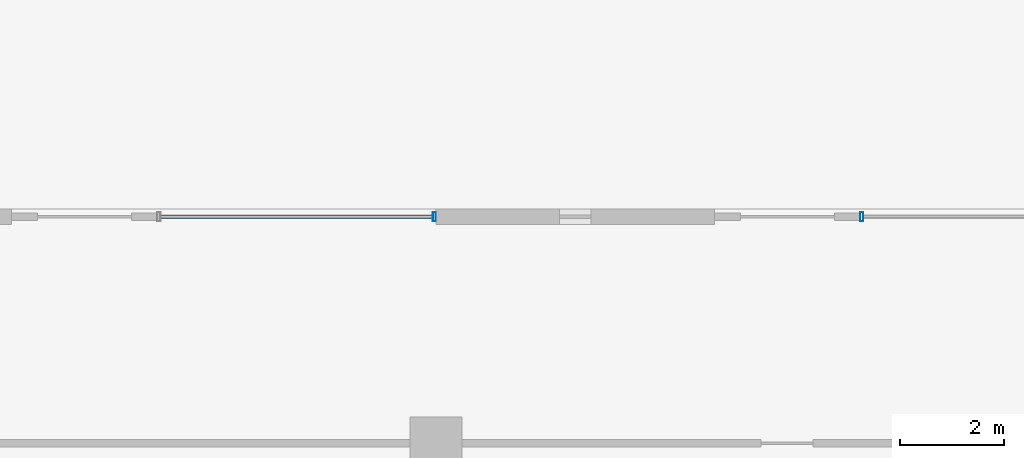
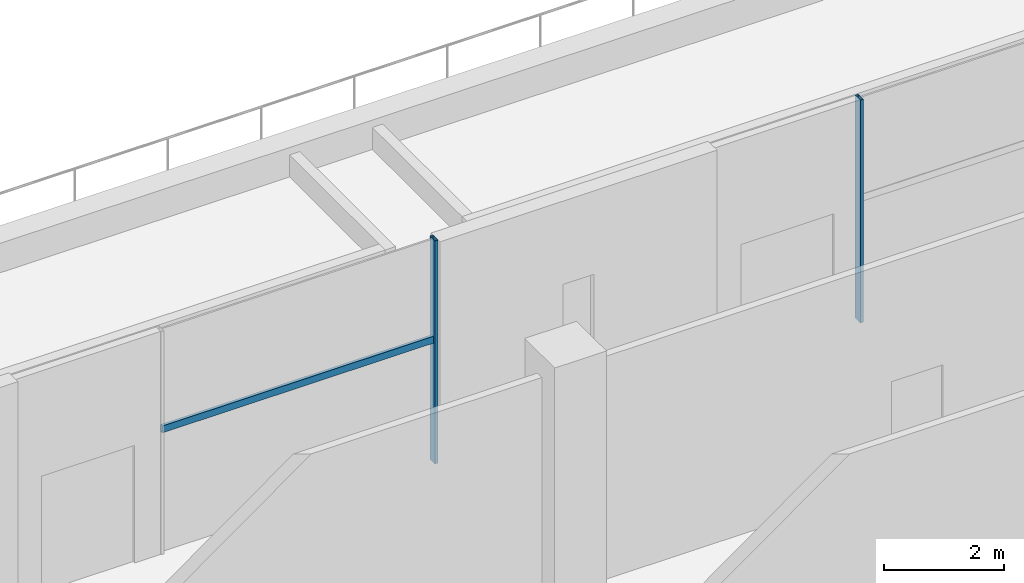
# One storey, part 18 of 49: 3 members, 2 elements without a shape of their own.
"""IFC4 building model written with IfcOpenShell, lengths in metres."""

from ifc_helpers import new_model, si_unit, direction, frame, origin, origin_2d, place, context, subcontext, project, spatial, hollow_rectangle, extrude, material, material_profile, profile_set, type_object, element, aggregate, save


model = new_model("IFC4")

# Units and contexts
model_context = context("Model", 3, precision=1e-05, world=origin(), true_north=direction((0.0, 1.0)))
body_context = subcontext(model_context, "Body", "Model", "MODEL_VIEW")
ifc_project = project(units=[si_unit("LENGTHUNIT", "METRE"), si_unit("AREAUNIT", "SQUARE_METRE"), si_unit("VOLUMEUNIT", "CUBIC_METRE"), si_unit("PLANEANGLEUNIT", "RADIAN"), si_unit("MASSUNIT", "GRAM", prefix="KILO")], contexts=[model_context])

# Site, building, storey
site_placement = place(None, origin())
site = spatial("IfcSite", under=ifc_project, at=site_placement, CompositionType="ELEMENT")
building_placement = place(site_placement, origin())
building = spatial("IfcBuilding", under=site, at=building_placement, Name="Altepetl Exchange Towers", CompositionType="ELEMENT")
storey_placement = place(building_placement, frame((0.0, 0.0, 11.5)))
storey = spatial("IfcBuildingStorey", under=building, at=storey_placement, Name="L02 Exchange podium", CompositionType="ELEMENT", Elevation=11.5)

# Curtain wall, member
ifc_material_1 = material(Name="Aluminium 6063-T6 glazing", Category="aluminium")
curtain_wall_type = type_object("IfcCurtainWallType", Name="Podium storefront system", PredefinedType="NOTDEFINED", material=ifc_material_1)
curtain_wall_1_placement = place(storey_placement, origin())
curtain_wall_1 = element("IfcCurtainWall", 1, at=curtain_wall_1_placement, inside=storey, type_object=curtain_wall_type, Name="CW5 run", PredefinedType="NOTDEFINED")
ifc_material_2 = material(Name="Aluminium 6063-T6", Category="aluminium")
ifc_material_profile_1 = material_profile(ifc_material_2, hollow_rectangle(XDim=0.06005859375, YDim=0.175048828125, WallThickness=0.0029296875, at=origin_2d()), Name="Mullion 60x175 aluminium")
ifc_profile_set_1 = profile_set([ifc_material_profile_1], Name="Aluminium 6063-T6")
member_type_1 = type_object("IfcMemberType", Name="Mullion 60x175 aluminium", PredefinedType="MULLION", material=ifc_profile_set_1)
member_1_placement = place(storey_placement, frame((44.179931640625, 80.85009765625, 0.0), z_axis=(0.0, 0.0, 1.0), x_axis=(-1.0, 0.0, 0.0)))
member_1 = element("IfcMember", 2, at=member_1_placement, type_object=member_type_1, Name="MU4 mullion", PredefinedType="MULLION", context=body_context, shape_type="SweptSolid", body=[
    extrude(hollow_rectangle(XDim=0.06005859375, YDim=0.175048828125, WallThickness=0.0029296875, at=origin_2d()), origin(), (0.0, 0.0, 1.0), 4.550048828125),
])
aggregate(curtain_wall_1, [member_1])

# Curtain wall, members
curtain_wall_2_placement = place(storey_placement, origin())
curtain_wall_2 = element("IfcCurtainWall", 3, at=curtain_wall_2_placement, inside=storey, type_object=curtain_wall_type, Name="CW5 run", PredefinedType="NOTDEFINED")
member_2_placement = place(storey_placement, frame((35.969970703125, 80.85009765625, 0.0), z_axis=(0.0, 0.0, 1.0), x_axis=(-1.0, 0.0, 0.0)))
member_2 = element("IfcMember", 4, at=member_2_placement, type_object=member_type_1, Name="MU4 mullion", PredefinedType="MULLION", context=body_context, shape_type="SweptSolid", body=[
    extrude(hollow_rectangle(XDim=0.06005859375, YDim=0.175048828125, WallThickness=0.0029296875, at=origin_2d()), origin(), (0.0, 0.0, 1.0), 4.550048828125),
])
ifc_material_profile_2 = material_profile(ifc_material_2, hollow_rectangle(XDim=0.06005859375, YDim=0.139892578125, WallThickness=0.0029296875, at=origin_2d()), Name="Transom 60x140 aluminium")
ifc_profile_set_2 = profile_set([ifc_material_profile_2], Name="Aluminium 6063-T6")
member_type_2 = type_object("IfcMemberType", Name="Transom 60x140 aluminium", PredefinedType="USERDEFINED", material=ifc_profile_set_2)
member_3_placement = place(storey_placement, frame((35.93994140625, 80.85009765625, 2.5), z_axis=(-1.0, 0.0, 0.0), x_axis=(0.0, -1.0, 0.0)))
member_3 = element("IfcMember", 5, at=member_3_placement, type_object=member_type_2, Name="TR3 transom", ObjectType="TRANSOM", PredefinedType="USERDEFINED", context=body_context, shape_type="SweptSolid", body=[
    extrude(hollow_rectangle(XDim=0.06005859375, YDim=0.139892578125, WallThickness=0.0029296875, at=origin_2d()), origin(), (0.0, 0.0, 1.0), 5.22998046875),
])
aggregate(curtain_wall_2, [member_2, member_3])

save(model, "model.ifc")
